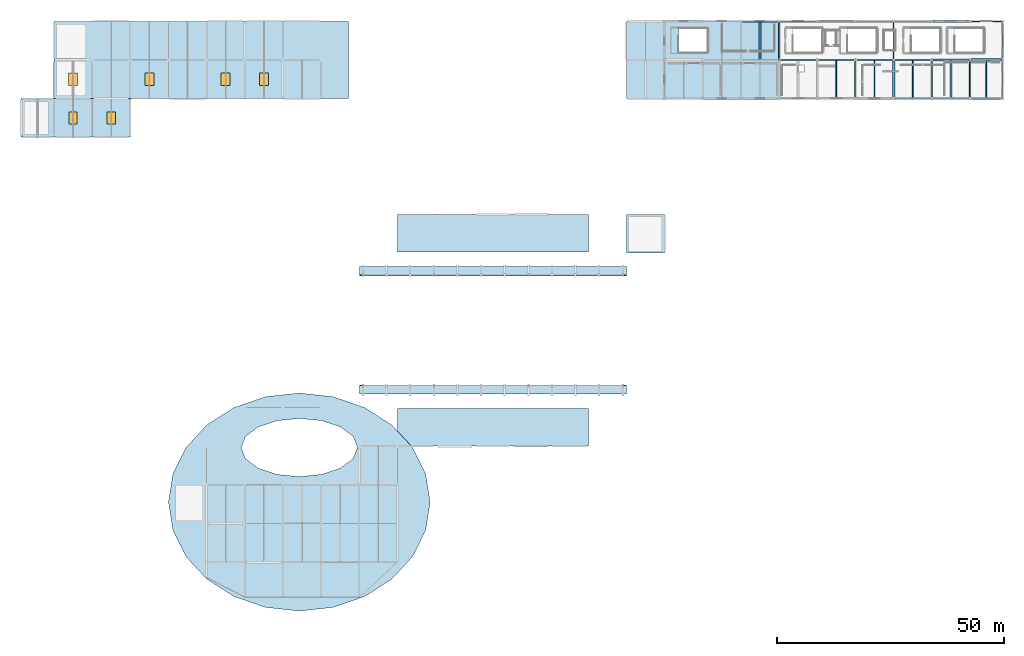
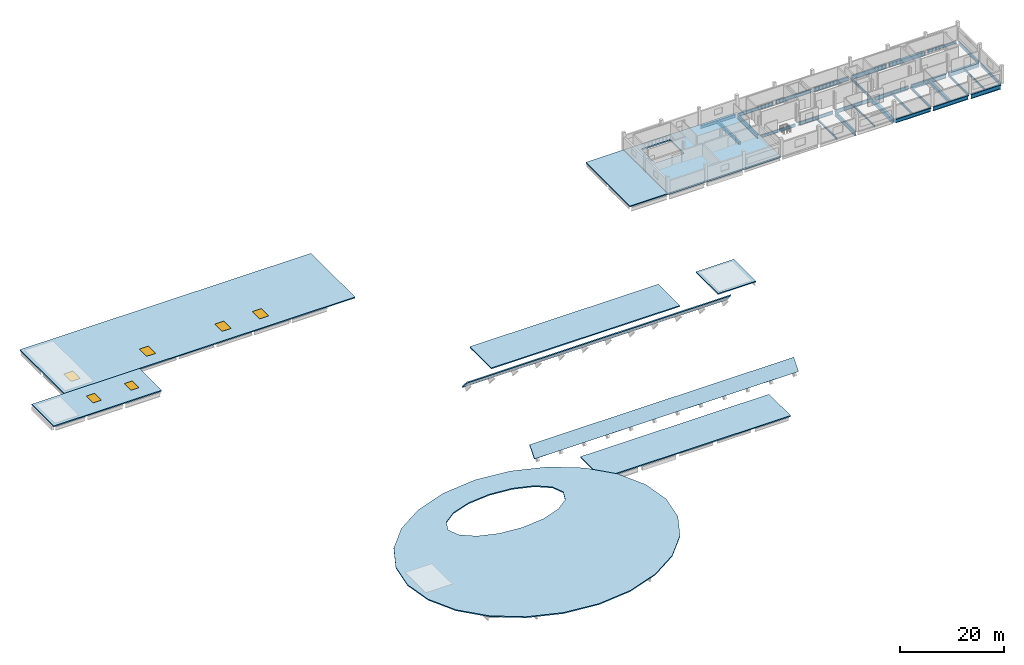
# One storey, part 6 of 13: 30 beams, 10 slabs, 6 windows, 6 openings.
"""IFC4 building model written with IfcOpenShell, lengths in metres."""

from ifc_helpers import new_model, si_unit, direction, frame, origin, origin_2d, place, context, subcontext, project, spatial, polyline, rectangle, i_section, outline, extrude, material, layer, layer_set, material_profile, profile_set, type_object, element, fill, save


model = new_model("IFC4")

# Units and contexts
model_context = context("Model", 3, precision=1e-05, world=origin(), true_north=direction((0.0, 1.0)))
body_context = subcontext(model_context, "Body", "Model", "MODEL_VIEW")
ifc_project = project(units=[si_unit("LENGTHUNIT", "METRE"), si_unit("AREAUNIT", "SQUARE_METRE"), si_unit("VOLUMEUNIT", "CUBIC_METRE"), si_unit("PLANEANGLEUNIT", "RADIAN"), si_unit("MASSUNIT", "GRAM", prefix="KILO")], contexts=[model_context])

# Site, building, storey
site_placement = place(None, origin())
site = spatial("IfcSite", under=ifc_project, at=site_placement, CompositionType="ELEMENT")
building_placement = place(site_placement, origin())
building = spatial("IfcBuilding", under=site, at=building_placement, Name="Solvento Point Concert Hall", CompositionType="ELEMENT")
storey_placement = place(building_placement, frame((0.0, 0.0, 23.699951171875)))
storey = spatial("IfcBuildingStorey", under=building, at=storey_placement, Name="L05", CompositionType="ELEMENT", Elevation=23.699951171875)

# Beams
ifc_material_1 = material(Name="Concrete C35/45", Category="concrete")
ifc_material_profile_1 = material_profile(ifc_material_1, rectangle(XDim=0.449951171875, YDim=0.75, at=origin_2d()), Name="RC-BM-450X750")
ifc_profile_set_1 = profile_set([ifc_material_profile_1], Name="Concrete C35/45")
beam_type_1 = type_object("IfcBeamType", Name="Beam_RC_450x750", PredefinedType="BEAM", material=ifc_profile_set_1)
beam_1_placement = place(storey_placement, frame((162.60009765625, 127.592041015625, -0.72900390625), z_axis=(0.0, 1.0, 0.0), x_axis=(-1.0, 0.0, 0.0)))
element("IfcBeam", 1, at=beam_1_placement, inside=storey, type_object=beam_type_1, Name="Secondary floor joist B-28 L05", PredefinedType="BEAM", context=body_context, shape_type="SweptSolid", body=[
    extrude(rectangle(XDim=0.449951171875, YDim=0.75, at=origin_2d()), origin(), (0.0, 0.0, 1.0), 8.294921875),
])
beam_2_placement = place(storey_placement, frame((204.60009765625, 119.138916015625, -0.62890625), z_axis=(0.0, 1.0, 0.0), x_axis=(-1.0, 0.0, 0.0)))
element("IfcBeam", 2, at=beam_2_placement, inside=storey, type_object=beam_type_1, Name="Secondary floor joist B-28 L05", PredefinedType="BEAM", context=body_context, shape_type="SweptSolid", body=[
    extrude(rectangle(XDim=0.449951171875, YDim=0.75, at=origin_2d()), origin(), (0.0, 0.0, 1.0), 8.195556640625),
])
ifc_material_2 = material(Name="Structural Steel ASTM A992 Grade 50", Category="steel")
ifc_material_profile_2 = material_profile(ifc_material_2, i_section(OverallWidth=0.20947265625, OverallDepth=0.532958984375, WebThickness=0.01025390625, FlangeThickness=0.015625, at=origin_2d()), Name="W21X62")
ifc_profile_set_2 = profile_set([ifc_material_profile_2], Name="Structural Steel ASTM A992 Grade 50")
beam_type_2 = type_object("IfcBeamType", Name="Beam_W21X62", PredefinedType="BEAM", material=ifc_profile_set_2)
beam_3_placement = place(storey_placement, frame((196.199951171875, 119.131103515625, -0.5205078125), z_axis=(0.0, 1.0, 0.0), x_axis=(-1.0, 0.0, 0.0)))
element("IfcBeam", 3, at=beam_3_placement, inside=storey, type_object=beam_type_2, Name="Secondary floor joist B-25 L05", PredefinedType="BEAM", context=body_context, shape_type="SweptSolid", body=[
    extrude(i_section(OverallWidth=0.20947265625, OverallDepth=0.532958984375, WebThickness=0.01025390625, FlangeThickness=0.015625, at=origin_2d()), origin(), (0.0, 0.0, 1.0), 8.22998046875),
])
ifc_material_3 = material(Name="Structural Steel ASTM A992 Grade 50", Category="steel")
ifc_material_profile_3 = material_profile(ifc_material_3, i_section(OverallWidth=0.214111328125, OverallDepth=0.549072265625, WebThickness=0.0146484375, FlangeThickness=0.023681640625, at=origin_2d()), Name="W21X93")
ifc_profile_set_3 = profile_set([ifc_material_profile_3], Name="Structural Steel ASTM A992 Grade 50")
beam_type_3 = type_object("IfcBeamType", Name="Beam_W21X93", PredefinedType="BEAM", material=ifc_profile_set_3)
beam_4_placement = place(storey_placement, frame((208.800048828125, 119.2939453125, -0.528564453125), z_axis=(0.0, 1.0, 0.0), x_axis=(-1.0, 0.0, 0.0)))
element("IfcBeam", 4, at=beam_4_placement, inside=storey, type_object=beam_type_3, Name="Primary girder B-48 L05", PredefinedType="BEAM", context=body_context, shape_type="SweptSolid", body=[
    extrude(i_section(OverallWidth=0.214111328125, OverallDepth=0.549072265625, WebThickness=0.0146484375, FlangeThickness=0.023681640625, at=origin_2d()), origin(), (0.0, 0.0, 1.0), 7.912109375),
])
ifc_material_4 = material(Name="Structural Steel ASTM A992 Grade 50", Category="steel")
ifc_material_profile_4 = material_profile(ifc_material_4, i_section(OverallWidth=0.228515625, OverallDepth=0.60791015625, WebThickness=0.01123046875, FlangeThickness=0.017333984375, at=origin_2d()), Name="W24X76")
ifc_profile_set_4 = profile_set([ifc_material_profile_4], Name="Structural Steel ASTM A992 Grade 50")
beam_type_4 = type_object("IfcBeamType", Name="Beam_W24X76", PredefinedType="BEAM", material=ifc_profile_set_4)
beam_5_placement = place(storey_placement, frame((209.093994140625, 136.0, -0.557861328125), z_axis=(1.0, 0.0, 0.0), x_axis=(0.0, 1.0, 0.0)))
element("IfcBeam", 5, at=beam_5_placement, inside=storey, type_object=beam_type_4, Name="Primary girder B-42 L05", PredefinedType="BEAM", context=body_context, shape_type="SweptSolid", body=[
    extrude(i_section(OverallWidth=0.228515625, OverallDepth=0.60791015625, WebThickness=0.01123046875, FlangeThickness=0.017333984375, at=origin_2d()), origin(), (0.0, 0.0, 1.0), 6.612060546875),
])
for number, where, z_axis, x_axis, name in (
    (6, (192.0, 127.7939453125, -0.557861328125), (0.0, 1.0, 0.0), (-1.0, 0.0, 0.0), "Primary girder B-42 L05"),
    (7, (200.39990234375, 119.2939453125, -0.557861328125), (0.0, 1.0, 0.0), (-1.0, 0.0, 0.0), "Primary girder B-42 L05"),
):
    element("IfcBeam", number, at=place(storey_placement, frame(where, z_axis=z_axis, x_axis=x_axis)), inside=storey, type_object=beam_type_4, Name=name, PredefinedType="BEAM", context=body_context, shape_type="SweptSolid", body=[
        extrude(i_section(OverallWidth=0.228515625, OverallDepth=0.60791015625, WebThickness=0.01123046875, FlangeThickness=0.017333984375, at=origin_2d()), origin(), (0.0, 0.0, 1.0), 7.912109375),
    ])
ifc_material_5 = material(Name="Concrete C35/45", Category="concrete")
ifc_material_profile_5 = material_profile(ifc_material_5, rectangle(XDim=0.550048828125, YDim=0.89990234375, at=origin_2d()), Name="RC-BM-550X900")
ifc_profile_set_5 = profile_set([ifc_material_profile_5], Name="Concrete C35/45")
beam_type_5 = type_object("IfcBeamType", Name="Girder_RC_550x900", PredefinedType="USERDEFINED", material=ifc_profile_set_5)
beam_6_placement = place(storey_placement, frame((209.093994140625, 127.5, -0.703857421875), z_axis=(1.0, 0.0, 0.0), x_axis=(0.0, 1.0, 0.0)))
element("IfcBeam", 8, at=beam_6_placement, inside=storey, type_object=beam_type_5, Name="Primary girder B-39 L05", ObjectType="GIRDER", PredefinedType="USERDEFINED", context=body_context, shape_type="SweptSolid", body=[
    extrude(rectangle(XDim=0.550048828125, YDim=0.89990234375, at=origin_2d()), origin(), (0.0, 0.0, 1.0), 6.612060546875),
])
beam_7_placement = place(storey_placement, frame((200.694091796875, 136.0, -0.703857421875), z_axis=(1.0, 0.0, 0.0), x_axis=(0.0, 1.0, 0.0)))
element("IfcBeam", 9, at=beam_7_placement, inside=storey, type_object=beam_type_5, Name="Primary girder B-39 L05", ObjectType="GIRDER", PredefinedType="USERDEFINED", context=body_context, shape_type="SweptSolid", body=[
    extrude(rectangle(XDim=0.550048828125, YDim=0.89990234375, at=origin_2d()), origin(), (0.0, 0.0, 1.0), 7.81201171875),
])
beam_8_placement = place(storey_placement, frame((192.0, 119.2939453125, -0.703857421875), z_axis=(0.0, 1.0, 0.0), x_axis=(-1.0, 0.0, 0.0)))
element("IfcBeam", 10, at=beam_8_placement, inside=storey, type_object=beam_type_5, Name="Primary girder B-39 L05", ObjectType="GIRDER", PredefinedType="USERDEFINED", context=body_context, shape_type="SweptSolid", body=[
    extrude(rectangle(XDim=0.550048828125, YDim=0.89990234375, at=origin_2d()), origin(), (0.0, 0.0, 1.0), 7.912109375),
])
ifc_material_6 = material(Name="Structural Steel ASTM A992 Grade 50", Category="steel")
ifc_material_profile_6 = material_profile(ifc_material_6, i_section(OverallWidth=0.256103515625, OverallDepth=0.693115234375, WebThickness=0.014404296875, FlangeThickness=0.023681640625, at=origin_2d()), Name="W27X114")
ifc_profile_set_6 = profile_set([ifc_material_profile_6], Name="Structural Steel ASTM A992 Grade 50")
beam_type_6 = type_object("IfcBeamType", Name="Girder_W27X114", PredefinedType="USERDEFINED", material=ifc_profile_set_6)
for number, where, z_axis, x_axis, name in (
    (11, (167.093994140625, 127.5, -0.700439453125), (1.0, 0.0, 0.0), (0.0, 1.0, 0.0), "Primary girder B-23 L05"),
    (12, (158.694091796875, 136.0, -0.700439453125), (1.0, 0.0, 0.0), (0.0, 1.0, 0.0), "Primary girder B-23 L05"),
):
    element("IfcBeam", number, at=place(storey_placement, frame(where, z_axis=z_axis, x_axis=x_axis)), inside=storey, type_object=beam_type_6, Name=name, ObjectType="GIRDER", PredefinedType="USERDEFINED", context=body_context, shape_type="SweptSolid", body=[
        extrude(i_section(OverallWidth=0.256103515625, OverallDepth=0.693115234375, WebThickness=0.014404296875, FlangeThickness=0.023681640625, at=origin_2d()), origin(), (0.0, 0.0, 1.0), 7.81201171875),
    ])
beam_9_placement = place(storey_placement, frame((216.0, 119.2939453125, -0.600341796875), z_axis=(0.0, 1.0, 0.0), x_axis=(-1.0, 0.0, 0.0)))
element("IfcBeam", 13, at=beam_9_placement, inside=storey, type_object=beam_type_6, Name="Primary girder B-23 L05", ObjectType="GIRDER", PredefinedType="USERDEFINED", context=body_context, shape_type="SweptSolid", body=[
    extrude(i_section(OverallWidth=0.256103515625, OverallDepth=0.693115234375, WebThickness=0.014404296875, FlangeThickness=0.023681640625, at=origin_2d()), origin(), (0.0, 0.0, 1.0), 7.912109375),
])
ifc_material_7 = material(Name="Structural Steel ASTM A992 Grade 50", Category="steel")
ifc_material_profile_7 = material_profile(ifc_material_7, i_section(OverallWidth=0.26806640625, OverallDepth=0.77001953125, WebThickness=0.015625, FlangeThickness=0.025390625, at=origin_2d()), Name="W30X132")
ifc_profile_set_7 = profile_set([ifc_material_profile_7], Name="Structural Steel ASTM A992 Grade 50")
beam_type_7 = type_object("IfcBeamType", Name="Girder_W30X132", PredefinedType="USERDEFINED", material=ifc_profile_set_7)
for number, where, z_axis, x_axis, name in (
    (14, (175.493896484375, 127.5, -0.638916015625), (1.0, 0.0, 0.0), (0.0, 1.0, 0.0), "Primary girder B-68 L05"),
    (15, (167.093994140625, 136.0, -0.739013671875), (1.0, 0.0, 0.0), (0.0, 1.0, 0.0), "Primary girder B-68 L05"),
):
    element("IfcBeam", number, at=place(storey_placement, frame(where, z_axis=z_axis, x_axis=x_axis)), inside=storey, type_object=beam_type_7, Name=name, ObjectType="GIRDER", PredefinedType="USERDEFINED", context=body_context, shape_type="SweptSolid", body=[
        extrude(i_section(OverallWidth=0.26806640625, OverallDepth=0.77001953125, WebThickness=0.015625, FlangeThickness=0.025390625, at=origin_2d()), origin(), (0.0, 0.0, 1.0), 7.81201171875),
    ])
beam_10_placement = place(storey_placement, frame((216.0, 127.7939453125, -0.638916015625), z_axis=(0.0, 1.0, 0.0), x_axis=(-1.0, 0.0, 0.0)))
element("IfcBeam", 16, at=beam_10_placement, inside=storey, type_object=beam_type_7, Name="Primary girder B-68 L05", ObjectType="GIRDER", PredefinedType="USERDEFINED", context=body_context, shape_type="SweptSolid", body=[
    extrude(i_section(OverallWidth=0.26806640625, OverallDepth=0.77001953125, WebThickness=0.015625, FlangeThickness=0.025390625, at=origin_2d()), origin(), (0.0, 0.0, 1.0), 7.912109375),
])
ifc_material_8 = material(Name="Structural Steel ASTM A992 Grade 50", Category="steel")
ifc_material_profile_8 = material_profile(ifc_material_8, i_section(OverallWidth=0.2919921875, OverallDepth=0.85888671875, WebThickness=0.01708984375, FlangeThickness=0.031005859375, at=origin_2d()), Name="W33X169")
ifc_profile_set_8 = profile_set([ifc_material_profile_8], Name="Structural Steel ASTM A992 Grade 50")
beam_type_8 = type_object("IfcBeamType", Name="Girder_W33X169", PredefinedType="USERDEFINED", material=ifc_profile_set_8)
for number, where, z_axis, x_axis, name in (
    (17, (192.2939453125, 119.0, -0.683349609375), (1.0, 0.0, 0.0), (0.0, 1.0, 0.0), "Primary girder B-33 L05"),
    (18, (183.89404296875, 127.5, -0.683349609375), (1.0, 0.0, 0.0), (0.0, 1.0, 0.0), "Primary girder B-33 L05"),
    (19, (175.493896484375, 136.0, -0.683349609375), (1.0, 0.0, 0.0), (0.0, 1.0, 0.0), "Primary girder B-33 L05"),
):
    element("IfcBeam", number, at=place(storey_placement, frame(where, z_axis=z_axis, x_axis=x_axis)), inside=storey, type_object=beam_type_8, Name=name, ObjectType="GIRDER", PredefinedType="USERDEFINED", context=body_context, shape_type="SweptSolid", body=[
        extrude(i_section(OverallWidth=0.2919921875, OverallDepth=0.85888671875, WebThickness=0.01708984375, FlangeThickness=0.031005859375, at=origin_2d()), origin(), (0.0, 0.0, 1.0), 7.81201171875),
    ])
ifc_material_9 = material(Name="Structural Steel ASTM A992 Grade 50", Category="steel")
ifc_material_profile_9 = material_profile(ifc_material_9, i_section(OverallWidth=0.3076171875, OverallDepth=0.927001953125, WebThickness=0.019287109375, FlangeThickness=0.031982421875, at=origin_2d()), Name="W36X194")
ifc_profile_set_9 = profile_set([ifc_material_profile_9], Name="Structural Steel ASTM A992 Grade 50")
beam_type_9 = type_object("IfcBeamType", Name="Girder_W36X194", PredefinedType="USERDEFINED", material=ifc_profile_set_9)
for number, where, z_axis, x_axis, name in (
    (20, (200.694091796875, 119.0, -0.717529296875), (1.0, 0.0, 0.0), (0.0, 1.0, 0.0), "Primary girder B-61 L05"),
    (21, (192.2939453125, 127.5, -0.717529296875), (1.0, 0.0, 0.0), (0.0, 1.0, 0.0), "Primary girder B-61 L05"),
    (22, (183.89404296875, 136.0, -0.717529296875), (1.0, 0.0, 0.0), (0.0, 1.0, 0.0), "Primary girder B-61 L05"),
):
    element("IfcBeam", number, at=place(storey_placement, frame(where, z_axis=z_axis, x_axis=x_axis)), inside=storey, type_object=beam_type_9, Name=name, ObjectType="GIRDER", PredefinedType="USERDEFINED", context=body_context, shape_type="SweptSolid", body=[
        extrude(i_section(OverallWidth=0.3076171875, OverallDepth=0.927001953125, WebThickness=0.019287109375, FlangeThickness=0.031982421875, at=origin_2d()), origin(), (0.0, 0.0, 1.0), 7.81201171875),
    ])
beam_11_placement = place(storey_placement, frame((166.800048828125, 127.7939453125, -0.8173828125), z_axis=(0.0, 1.0, 0.0), x_axis=(-1.0, 0.0, 0.0)))
element("IfcBeam", 23, at=beam_11_placement, inside=storey, type_object=beam_type_9, Name="Primary girder B-61 L05", ObjectType="GIRDER", PredefinedType="USERDEFINED", context=body_context, shape_type="SweptSolid", body=[
    extrude(i_section(OverallWidth=0.3076171875, OverallDepth=0.927001953125, WebThickness=0.019287109375, FlangeThickness=0.031982421875, at=origin_2d()), origin(), (0.0, 0.0, 1.0), 7.912109375),
])
ifc_material_10 = material(Name="Structural Steel ASTM A992 Grade 50", Category="steel")
ifc_material_profile_10 = material_profile(ifc_material_10, i_section(OverallWidth=0.361083984375, OverallDepth=1.02587890625, WebThickness=0.01904296875, FlangeThickness=0.0361328125, at=origin_2d()), Name="W40X249")
ifc_profile_set_10 = profile_set([ifc_material_profile_10], Name="Structural Steel ASTM A992 Grade 50")
beam_type_10 = type_object("IfcBeamType", Name="Girder_W40X249", PredefinedType="USERDEFINED", material=ifc_profile_set_10)
beam_12_placement = place(storey_placement, frame((209.093994140625, 119.0, -0.766845703125), z_axis=(1.0, 0.0, 0.0), x_axis=(0.0, 1.0, 0.0)))
element("IfcBeam", 24, at=beam_12_placement, inside=storey, type_object=beam_type_10, Name="Primary girder B-29 L05", ObjectType="GIRDER", PredefinedType="USERDEFINED", context=body_context, shape_type="SweptSolid", body=[
    extrude(i_section(OverallWidth=0.361083984375, OverallDepth=1.02587890625, WebThickness=0.01904296875, FlangeThickness=0.0361328125, at=origin_2d()), origin(), (0.0, 0.0, 1.0), 6.612060546875),
])
for number, where, z_axis, x_axis, name in (
    (25, (200.694091796875, 127.5, -0.766845703125), (1.0, 0.0, 0.0), (0.0, 1.0, 0.0), "Primary girder B-29 L05"),
    (26, (192.2939453125, 136.0, -0.766845703125), (1.0, 0.0, 0.0), (0.0, 1.0, 0.0), "Primary girder B-29 L05"),
):
    element("IfcBeam", number, at=place(storey_placement, frame(where, z_axis=z_axis, x_axis=x_axis)), inside=storey, type_object=beam_type_10, Name=name, ObjectType="GIRDER", PredefinedType="USERDEFINED", context=body_context, shape_type="SweptSolid", body=[
        extrude(i_section(OverallWidth=0.361083984375, OverallDepth=1.02587890625, WebThickness=0.01904296875, FlangeThickness=0.0361328125, at=origin_2d()), origin(), (0.0, 0.0, 1.0), 7.81201171875),
    ])
beam_13_placement = place(storey_placement, frame((183.60009765625, 119.2939453125, -0.766845703125), z_axis=(0.0, 1.0, 0.0), x_axis=(-1.0, 0.0, 0.0)))
element("IfcBeam", 27, at=beam_13_placement, inside=storey, type_object=beam_type_10, Name="Primary girder B-29 L05", ObjectType="GIRDER", PredefinedType="USERDEFINED", context=body_context, shape_type="SweptSolid", body=[
    extrude(i_section(OverallWidth=0.361083984375, OverallDepth=1.02587890625, WebThickness=0.01904296875, FlangeThickness=0.0361328125, at=origin_2d()), origin(), (0.0, 0.0, 1.0), 7.912109375),
])
ifc_material_11 = material(Name="Structural Steel ASTM A992 Grade 50", Category="steel")
ifc_material_profile_11 = material_profile(ifc_material_11, i_section(OverallWidth=0.177490234375, OverallDepth=0.403076171875, WebThickness=0.007568359375, FlangeThickness=0.010986328125, at=origin_2d()), Name="W16X36")
ifc_profile_set_11 = profile_set([ifc_material_profile_11], Name="Structural Steel ASTM A992 Grade 50")
beam_type_11 = type_object("IfcBeamType", Name="Joist_W16X36", PredefinedType="JOIST", material=ifc_profile_set_11)
beam_14_placement = place(storey_placement, frame((187.800048828125, 119.118896484375, -0.45556640625), z_axis=(0.0, 1.0, 0.0), x_axis=(-1.0, 0.0, 0.0)))
element("IfcBeam", 28, at=beam_14_placement, inside=storey, type_object=beam_type_11, Name="Secondary floor joist B-30 L05", PredefinedType="JOIST", context=body_context, shape_type="SweptSolid", body=[
    extrude(i_section(OverallWidth=0.177490234375, OverallDepth=0.403076171875, WebThickness=0.007568359375, FlangeThickness=0.010986328125, at=origin_2d()), origin(), (0.0, 0.0, 1.0), 8.25),
])
ifc_material_12 = material(Name="Structural Steel ASTM A992 Grade 50", Category="steel")
ifc_material_profile_12 = material_profile(ifc_material_12, i_section(OverallWidth=0.1904296875, OverallDepth=0.45703125, WebThickness=0.009033203125, FlangeThickness=0.014404296875, at=origin_2d()), Name="W18X50")
ifc_profile_set_12 = profile_set([ifc_material_profile_12], Name="Structural Steel ASTM A992 Grade 50")
beam_type_12 = type_object("IfcBeamType", Name="Joist_W18X50", PredefinedType="JOIST", material=ifc_profile_set_12)
beam_15_placement = place(storey_placement, frame((179.39990234375, 119.113037109375, -0.482421875), z_axis=(0.0, 1.0, 0.0), x_axis=(-1.0, 0.0, 0.0)))
element("IfcBeam", 29, at=beam_15_placement, inside=storey, type_object=beam_type_12, Name="Secondary floor joist B-66 L05", PredefinedType="JOIST", context=body_context, shape_type="SweptSolid", body=[
    extrude(i_section(OverallWidth=0.1904296875, OverallDepth=0.45703125, WebThickness=0.009033203125, FlangeThickness=0.014404296875, at=origin_2d()), origin(), (0.0, 0.0, 1.0), 8.26806640625),
])
beam_16_placement = place(storey_placement, frame((212.39990234375, 119.16552734375, -0.482421875), z_axis=(0.0, 1.0, 0.0), x_axis=(-1.0, 0.0, 0.0)))
element("IfcBeam", 30, at=beam_16_placement, inside=storey, type_object=beam_type_12, Name="Secondary floor joist B-66 L05", PredefinedType="JOIST", context=body_context, shape_type="SweptSolid", body=[
    extrude(i_section(OverallWidth=0.1904296875, OverallDepth=0.45703125, WebThickness=0.009033203125, FlangeThickness=0.014404296875, at=origin_2d()), origin(), (0.0, 0.0, 1.0), 8.074462890625),
])

# Slabs
ifc_material_13 = material(Name="Concrete C35/45", Category="concrete")
ifc_layer_1 = layer(ifc_material_13, 0.35009765625)
ifc_layer_set_1 = layer_set([ifc_layer_1], Name="Concrete C35/45")
slab_type_1 = type_object("IfcSlabType", Name="FloorSlab_350_AHU", PredefinedType="FLOOR", material=ifc_layer_set_1)
slab_1_placement = place(storey_placement, frame((0.0, 0.0, -0.349853515625)))
element("IfcSlab", 31, at=slab_1_placement, inside=storey, type_object=slab_type_1, Name="Structural slab SL-AHU SLAB-L05-V1P", PredefinedType="FLOOR", context=body_context, shape_type="SweptSolid", body=[
    extrude(outline(polyline([(141.60009765625, 136.0), (166.800048828125, 136.0), (166.800048828125, 119.0), (141.60009765625, 119.0), (141.60009765625, 136.0)]), holes=[polyline([(151.10009765625, 134.5), (144.64990234375, 134.5), (144.64990234375, 129.10009765625), (151.10009765625, 129.10009765625), (151.10009765625, 134.5)])]), origin(), (0.0, 0.0, 1.0), 0.349853515625),
])
ifc_material_14 = material(Name="Concrete C40/50", Category="concrete")
ifc_layer_2 = layer(ifc_material_14, 0.25)
ifc_layer_set_2 = layer_set([ifc_layer_2], Name="Concrete C40/50")
slab_type_2 = type_object("IfcSlabType", Name="RoofBelvedere_250", PredefinedType="ROOF", material=ifc_layer_set_2)
slab_2_placement = place(storey_placement, frame((0.0, 0.0, -0.25)))
element("IfcSlab", 32, at=slab_2_placement, inside=storey, type_object=slab_type_2, Name="Structural slab RF-BLV RF-V2-BLV", PredefinedType="ROOF", context=body_context, shape_type="SweptSolid", body=[
    extrude(outline(polyline([(86.1416015625, 18.199951171875), (81.564697265625, 13.2294921875), (75.60009765625, 9.415283203125), (68.654052734375, 7.017822265625), (61.199951171875, 6.199951171875), (53.74609375, 7.017822265625), (46.800048828125, 9.415283203125), (40.835205078125, 13.2294921875), (36.258544921875, 18.199951171875), (33.38134765625, 23.98828125), (32.39990234375, 30.199951171875), (33.38134765625, 36.41162109375), (36.258544921875, 42.199951171875), (40.835205078125, 47.170654296875), (46.800048828125, 50.984619140625), (53.74609375, 53.382080078125), (61.199951171875, 54.199951171875), (68.654052734375, 53.382080078125), (75.60009765625, 50.984619140625), (81.564697265625, 47.170654296875), (86.1416015625, 42.199951171875), (89.018798828125, 36.41162109375), (90.0, 30.199951171875), (89.018798828125, 23.98828125), (86.1416015625, 18.199951171875)]), holes=[polyline([(70.2509765625, 46.7255859375), (66.098388671875, 48.11279296875), (61.199951171875, 48.60009765625), (56.3017578125, 48.11279296875), (52.14892578125, 46.7255859375), (49.374267578125, 44.649169921875), (48.39990234375, 42.199951171875), (49.374267578125, 39.750732421875), (52.14892578125, 37.674560546875), (56.3017578125, 36.287109375), (61.199951171875, 35.800048828125), (66.098388671875, 36.287109375), (70.2509765625, 37.674560546875), (73.025634765625, 39.750732421875), (74.0, 42.199951171875), (73.025634765625, 44.649169921875), (70.2509765625, 46.7255859375)])]), origin(), (0.0, 0.0, 1.0), 0.25),
])

# Slab, openings, windows
ifc_material_15 = material(Name="Concrete C40/50", Category="concrete")
ifc_layer_3 = layer(ifc_material_15, 0.260009765625)
ifc_layer_set_3 = layer_set([ifc_layer_3], Name="Concrete C40/50")
slab_type_3 = type_object("IfcSlabType", Name="RoofFlat_260", PredefinedType="ROOF", material=ifc_layer_set_3)
slab_3_placement = place(storey_placement, frame((0.0, 0.0, -0.260009765625)))
slab_3 = element("IfcSlab", 33, at=slab_3_placement, inside=storey, type_object=slab_type_3, Name="Structural slab RF-DK1 RF-V4-N", PredefinedType="ROOF", context=body_context, shape_type="SweptSolid", body=[
    extrude(outline(polyline([(7.199951171875, 119.0), (7.199951171875, 136.0), (72.0, 136.0), (72.0, 119.0), (7.199951171875, 119.0)])), origin(), (0.0, 0.0, 1.0), 0.260009765625),
])
opening_1_placement = place(slab_3_placement, frame((11.39990234375, 123.25, 0.0)))
opening_1 = element("IfcOpeningElement", 34, at=opening_1_placement, cuts=slab_3, Name="Opening SK-48", PredefinedType="OPENING", context=body_context, shape_type="SweptSolid", body=[
    extrude(rectangle(XDim=2.0, YDim=2.800048828125, at=origin_2d()), origin(), (0.0, 0.0, 1.0), 0.260009765625),
])
opening_2_placement = place(slab_3_placement, frame((28.199951171875, 123.25, 0.0)))
opening_2 = element("IfcOpeningElement", 35, at=opening_2_placement, cuts=slab_3, Name="Opening SK-48", PredefinedType="OPENING", context=body_context, shape_type="SweptSolid", body=[
    extrude(rectangle(XDim=2.0, YDim=2.800048828125, at=origin_2d()), origin(), (0.0, 0.0, 1.0), 0.260009765625),
])
opening_3_placement = place(slab_3_placement, frame((45.0, 123.25, 0.0)))
opening_3 = element("IfcOpeningElement", 36, at=opening_3_placement, cuts=slab_3, Name="Opening SK-48", PredefinedType="OPENING", context=body_context, shape_type="SweptSolid", body=[
    extrude(rectangle(XDim=2.0, YDim=2.800048828125, at=origin_2d()), origin(), (0.0, 0.0, 1.0), 0.260009765625),
])
opening_4_placement = place(slab_3_placement, frame((53.39990234375, 123.25, 0.0)))
opening_4 = element("IfcOpeningElement", 37, at=opening_4_placement, cuts=slab_3, Name="Opening SK-48", PredefinedType="OPENING", context=body_context, shape_type="SweptSolid", body=[
    extrude(rectangle(XDim=2.0, YDim=2.800048828125, at=origin_2d()), origin(), (0.0, 0.0, 1.0), 0.260009765625),
])
ifc_material_16 = material(Name="Hurricane Laminated Low-E Glass", Category="glass")
window_type_1 = type_object("IfcWindowType", Name="Skylight_ConservatoryNorth", PartitioningType="SINGLE_PANEL", PredefinedType="SKYLIGHT", material=ifc_material_16)
window_1_placement = place(opening_1_placement, frame((0.0, 0.0, 0.2099609375)))
window_1 = element("IfcWindow", 38, at=window_1_placement, inside=storey, type_object=window_type_1, Name="Acoustic laminated skylight SK-48", OverallHeight=2.800048828125, OverallWidth=2.0, PartitioningType="SINGLE_PANEL", PredefinedType="SKYLIGHT", context=body_context, shape_type="SweptSolid", body=[
    extrude(rectangle(XDim=2.0, YDim=2.800048828125, at=origin_2d()), origin(), (0.0, 0.0, 1.0), 0.050048828125),
])
fill(opening_1, window_1)
window_2_placement = place(opening_2_placement, frame((0.0, 0.0, 0.2099609375)))
window_2 = element("IfcWindow", 39, at=window_2_placement, inside=storey, type_object=window_type_1, Name="Acoustic laminated skylight SK-48", OverallHeight=2.800048828125, OverallWidth=2.0, PartitioningType="SINGLE_PANEL", PredefinedType="SKYLIGHT", context=body_context, shape_type="SweptSolid", body=[
    extrude(rectangle(XDim=2.0, YDim=2.800048828125, at=origin_2d()), origin(), (0.0, 0.0, 1.0), 0.050048828125),
])
fill(opening_2, window_2)
window_3_placement = place(opening_3_placement, frame((0.0, 0.0, 0.2099609375)))
window_3 = element("IfcWindow", 40, at=window_3_placement, inside=storey, type_object=window_type_1, Name="Acoustic laminated skylight SK-48", OverallHeight=2.800048828125, OverallWidth=2.0, PartitioningType="SINGLE_PANEL", PredefinedType="SKYLIGHT", context=body_context, shape_type="SweptSolid", body=[
    extrude(rectangle(XDim=2.0, YDim=2.800048828125, at=origin_2d()), origin(), (0.0, 0.0, 1.0), 0.050048828125),
])
fill(opening_3, window_3)
window_4_placement = place(opening_4_placement, frame((0.0, 0.0, 0.2099609375)))
window_4 = element("IfcWindow", 41, at=window_4_placement, inside=storey, type_object=window_type_1, Name="Acoustic laminated skylight SK-48", OverallHeight=2.800048828125, OverallWidth=2.0, PartitioningType="SINGLE_PANEL", PredefinedType="SKYLIGHT", context=body_context, shape_type="SweptSolid", body=[
    extrude(rectangle(XDim=2.0, YDim=2.800048828125, at=origin_2d()), origin(), (0.0, 0.0, 1.0), 0.050048828125),
])
fill(opening_4, window_4)

slab_4_placement = place(storey_placement, frame((0.0, 0.0, -0.260009765625)))
slab_4 = element("IfcSlab", 42, at=slab_4_placement, inside=storey, type_object=slab_type_3, Name="Structural slab RF-DK1 RF-V4-W", PredefinedType="ROOF", context=body_context, shape_type="SweptSolid", body=[
    extrude(outline(polyline([(0.0, 110.5), (0.0, 119.0), (24.0, 119.0), (24.0, 110.5), (0.0, 110.5)])), origin(), (0.0, 0.0, 1.0), 0.260009765625),
])
opening_5_placement = place(slab_4_placement, frame((11.39990234375, 114.75, 0.0)))
opening_5 = element("IfcOpeningElement", 43, at=opening_5_placement, cuts=slab_4, Name="Opening SK-57", PredefinedType="OPENING", context=body_context, shape_type="SweptSolid", body=[
    extrude(rectangle(XDim=1.800048828125, YDim=2.60009765625, at=origin_2d()), origin(), (0.0, 0.0, 1.0), 0.260009765625),
])
opening_6_placement = place(slab_4_placement, frame((19.800048828125, 114.75, 0.0)))
opening_6 = element("IfcOpeningElement", 44, at=opening_6_placement, cuts=slab_4, Name="Opening SK-57", PredefinedType="OPENING", context=body_context, shape_type="SweptSolid", body=[
    extrude(rectangle(XDim=1.800048828125, YDim=2.60009765625, at=origin_2d()), origin(), (0.0, 0.0, 1.0), 0.260009765625),
])
ifc_material_17 = material(Name="Hurricane Laminated Low-E Glass", Category="glass")
window_type_2 = type_object("IfcWindowType", Name="Skylight_PracticeWest", PartitioningType="SINGLE_PANEL", PredefinedType="SKYLIGHT", material=ifc_material_17)
window_5_placement = place(opening_5_placement, frame((0.0, 0.0, 0.2099609375)))
window_5 = element("IfcWindow", 45, at=window_5_placement, inside=storey, type_object=window_type_2, Name="Acoustic laminated skylight SK-57", OverallHeight=2.60009765625, OverallWidth=1.800048828125, PartitioningType="SINGLE_PANEL", PredefinedType="SKYLIGHT", context=body_context, shape_type="SweptSolid", body=[
    extrude(rectangle(XDim=1.800048828125, YDim=2.60009765625, at=origin_2d()), origin(), (0.0, 0.0, 1.0), 0.050048828125),
])
fill(opening_5, window_5)
window_6_placement = place(opening_6_placement, frame((0.0, 0.0, 0.2099609375)))
window_6 = element("IfcWindow", 46, at=window_6_placement, inside=storey, type_object=window_type_2, Name="Acoustic laminated skylight SK-57", OverallHeight=2.60009765625, OverallWidth=1.800048828125, PartitioningType="SINGLE_PANEL", PredefinedType="SKYLIGHT", context=body_context, shape_type="SweptSolid", body=[
    extrude(rectangle(XDim=1.800048828125, YDim=2.60009765625, at=origin_2d()), origin(), (0.0, 0.0, 1.0), 0.050048828125),
])
fill(opening_6, window_6)

# Slabs
slab_5_placement = place(storey_placement, frame((0.0, 0.0, -0.260009765625)))
element("IfcSlab", 47, at=slab_5_placement, inside=storey, type_object=slab_type_3, Name="Structural slab RF-DK1 RF-V5-M", PredefinedType="ROOF", context=body_context, shape_type="SweptSolid", body=[
    extrude(outline(polyline([(133.199951171875, 85.0), (133.199951171875, 93.5), (141.60009765625, 93.5), (141.60009765625, 85.0), (133.199951171875, 85.0)])), origin(), (0.0, 0.0, 1.0), 0.260009765625),
])
slab_6_placement = place(storey_placement, frame((0.0, 0.0, -0.260009765625)))
element("IfcSlab", 48, at=slab_6_placement, inside=storey, type_object=slab_type_3, Name="Structural slab RF-DK1 RF-V1-GS", PredefinedType="ROOF", context=body_context, shape_type="SweptSolid", body=[
    extrude(outline(polyline([(85.865234375, 42.5), (82.800048828125, 45.8291015625), (82.800048828125, 50.800048828125), (124.800048828125, 50.800048828125), (124.800048828125, 42.5), (85.865234375, 42.5)])), origin(), (0.0, 0.0, 1.0), 0.260009765625),
])
slab_7_placement = place(storey_placement, frame((0.0, 0.0, -0.260009765625)))
element("IfcSlab", 49, at=slab_7_placement, inside=storey, type_object=slab_type_3, Name="Structural slab RF-DK1 RF-V1-GN", PredefinedType="ROOF", context=body_context, shape_type="SweptSolid", body=[
    extrude(outline(polyline([(82.800048828125, 85.199951171875), (82.800048828125, 93.5), (124.800048828125, 93.5), (124.800048828125, 85.199951171875), (82.800048828125, 85.199951171875)])), origin(), (0.0, 0.0, 1.0), 0.260009765625),
])
slab_8_placement = place(storey_placement, frame((0.0, 0.0, -0.260009765625)))
element("IfcSlab", 50, at=slab_8_placement, inside=storey, type_object=slab_type_3, Name="Structural slab RF-DK1 RF-L05-V1W", PredefinedType="ROOF", context=body_context, shape_type="SweptSolid", body=[
    extrude(outline(polyline([(133.199951171875, 119.0), (133.199951171875, 136.0), (141.60009765625, 136.0), (141.60009765625, 119.0), (133.199951171875, 119.0)])), origin(), (0.0, 0.0, 1.0), 0.260009765625),
])
ifc_material_18 = material(Name="Concrete C40/50", Category="concrete")
ifc_layer_4 = layer(ifc_material_18, 0.219970703125)
ifc_layer_set_4 = layer_set([ifc_layer_4], Name="Concrete C40/50")
slab_type_4 = type_object("IfcSlabType", Name="RoofShell_220", PredefinedType="ROOF", material=ifc_layer_set_4)
for number, where, z_axis, x_axis, name in (
    (51, (74.39990234375, 53.956298828125, 0.48681640625), (0.0, -0.764735558396, 0.644344260256), (1.0, 0.0, 0.0), "Concrete acoustic shell roof panel CS-01 #3"),
    (52, (74.39990234375, 80.162109375, 2.719970703125), (0.0, 0.764735558396, 0.644344260256), (1.0, 0.0, 0.0), "Concrete acoustic shell roof panel CS-01 #10"),
):
    element("IfcSlab", number, at=place(storey_placement, frame(where, z_axis=z_axis, x_axis=x_axis)), inside=storey, type_object=slab_type_4, Name=name, PredefinedType="ROOF", context=body_context, shape_type="SweptSolid", body=[
        extrude(outline(polyline([(0.0, 0.0), (58.800048828125, 0.0), (58.800048828125, 2.9201653726661725), (0.0, 2.9201653726661725), (0.0, 0.0)])), origin(), (0.0, 0.0, -1.0), 0.219970703125),
    ])

save(model, "model.ifc")
